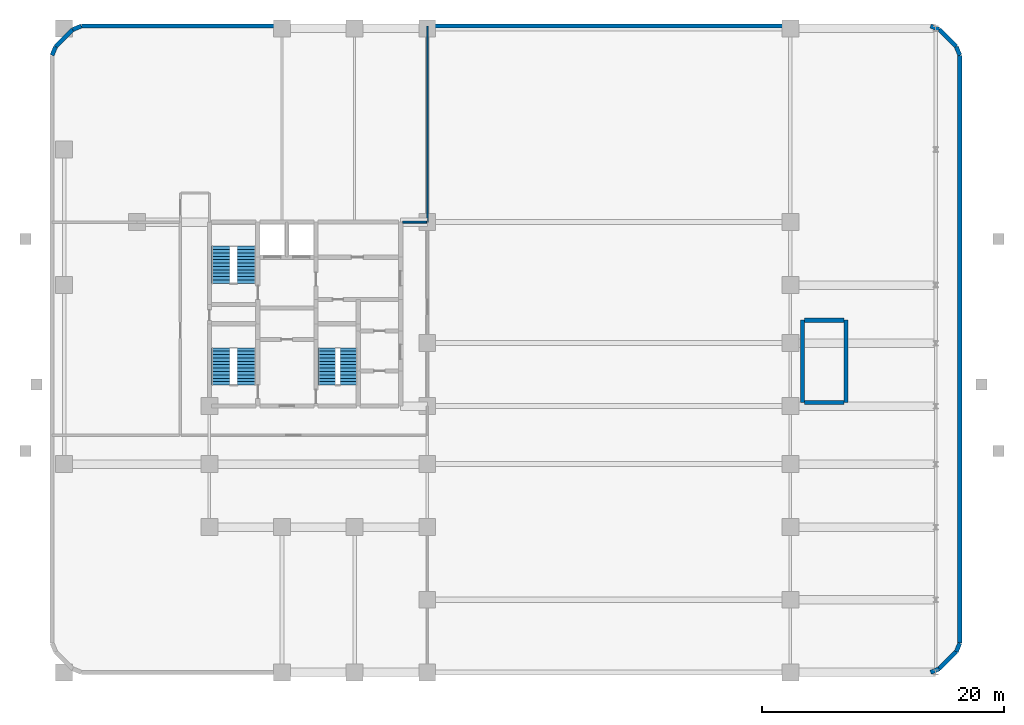
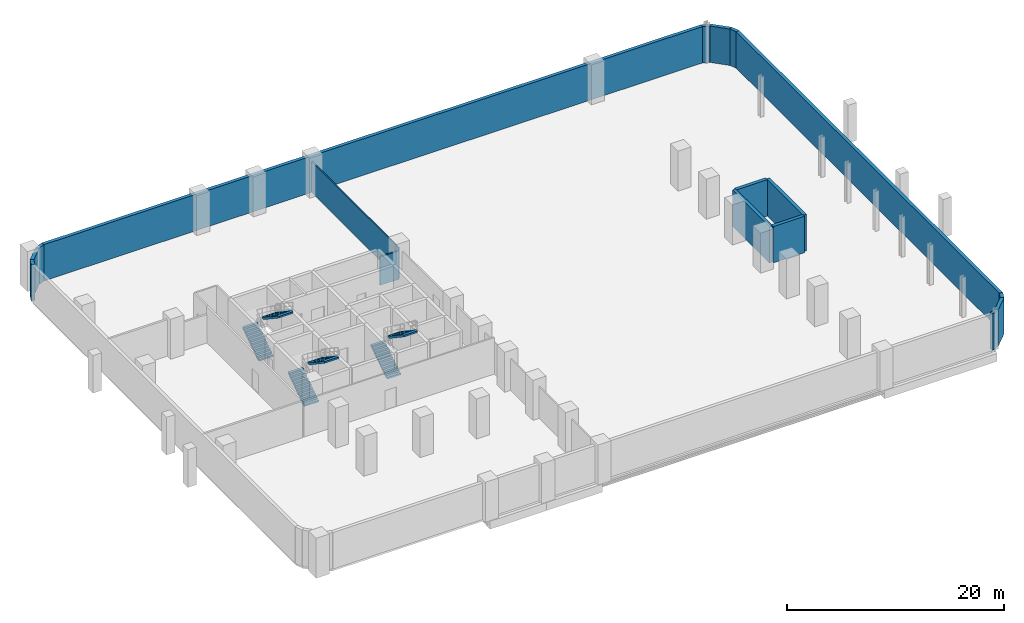
# One storey, part 6 of 7: 17 walls, 6 stair flights, 3 elements without a shape of their own.
"""IFC4 building model written with IfcOpenShell, lengths in metres."""

from ifc_helpers import new_model, si_unit, direction, frame, frame_2d, origin, place, context, subcontext, project, spatial, polyline, rectangle, outline, extrude, material, layer, layer_set, type_object, element, aggregate, save


model = new_model("IFC4")

# Units and contexts
model_context = context("Model", 3, precision=1e-05, world=origin(), true_north=direction((0.0, 1.0)))
body_context = subcontext(model_context, "Body", "Model", "MODEL_VIEW")
ifc_project = project(units=[si_unit("LENGTHUNIT", "METRE"), si_unit("AREAUNIT", "SQUARE_METRE"), si_unit("VOLUMEUNIT", "CUBIC_METRE"), si_unit("PLANEANGLEUNIT", "RADIAN"), si_unit("MASSUNIT", "GRAM", prefix="KILO")], contexts=[model_context])

# Site, building, storey
site_placement = place(None, origin())
site = spatial("IfcSite", under=ifc_project, at=site_placement, CompositionType="ELEMENT")
building_placement = place(site_placement, origin())
building = spatial("IfcBuilding", under=site, at=building_placement, Name="Keshet Zoharim Tower", CompositionType="ELEMENT")
storey_placement = place(building_placement, frame((0.0, 0.0, -4.5)))
storey = spatial("IfcBuildingStorey", under=building, at=storey_placement, Name="B1", CompositionType="ELEMENT", Elevation=-4.5)

# Walls
ifc_material_1 = material(Name="Gypsum Plasterboard", Category="gypsum")
ifc_layer_1 = layer(ifc_material_1, 0.14990234375)
ifc_layer_set_1 = layer_set([ifc_layer_1], Name="Gypsum Plasterboard")
wall_type_1 = type_object("IfcWallType", Name="WL-CLIN-150", PredefinedType="STANDARD", material=ifc_layer_set_1)
wall_1_placement = place(storey_placement, frame((30.9599609375, 37.89990234375, 0.0), z_axis=(0.0, 0.0, 1.0), x_axis=(1.0, 0.0, 0.0)))
element("IfcWall", 1, at=wall_1_placement, inside=storey, type_object=wall_type_1, Name="B1 Interior Wall 054", PredefinedType="STANDARD", context=body_context, shape_type="SweptSolid", body=[
    extrude(rectangle(XDim=1.97998046875, YDim=0.14990234375, at=frame_2d((0.989990234375, 0.0))), origin(), (0.0, 0.0, 1.0), 3.199951171875),
])
ifc_material_2 = material(Name="Concrete C60/75", Category="concrete")
ifc_layer_2 = layer(ifc_material_2, 0.35009765625)
ifc_layer_set_2 = layer_set([ifc_layer_2], Name="Concrete C60/75")
wall_type_2 = type_object("IfcWallType", Name="WL-CORE-350", PredefinedType="SHEAR", material=ifc_layer_set_2)
for number, where, z_axis, x_axis, name in (
    (2, (64.0, 23.0, 0.0), (0.0, 0.0, 1.0), (0.0, 1.0, 0.0), "B1 Core Shear Wall 030"),
    (3, (67.60009765625, 23.0, 0.0), (0.0, 0.0, 1.0), (0.0, 1.0, 0.0), "B1 Core Shear Wall 031"),
):
    element("IfcWall", number, at=place(storey_placement, frame(where, z_axis=z_axis, x_axis=x_axis)), inside=storey, type_object=wall_type_2, Name=name, PredefinedType="SHEAR", context=body_context, shape_type="SweptSolid", body=[
        extrude(rectangle(XDim=6.800048828125, YDim=0.35009765625, at=frame_2d((3.39990234375, 0.0))), origin(), (0.0, 0.0, 1.0), 4.10009765625),
    ])
for number, where, z_axis, x_axis, name in (
    (4, (64.159912109375, 23.0, 0.0), (0.0, 0.0, 1.0), (1.0, 0.0, 0.0), "B1 Core Shear Wall 038"),
    (5, (64.159912109375, 29.800048828125, 0.0), (0.0, 0.0, 1.0), (1.0, 0.0, 0.0), "B1 Core Shear Wall 044"),
):
    element("IfcWall", number, at=place(storey_placement, frame(where, z_axis=z_axis, x_axis=x_axis)), inside=storey, type_object=wall_type_2, Name=name, PredefinedType="SHEAR", context=body_context, shape_type="SweptSolid", body=[
        extrude(rectangle(XDim=3.280029296875, YDim=0.35009765625, at=frame_2d((1.64013671875, 0.0))), origin(), (0.0, 0.0, 1.0), 4.10009765625),
    ])
ifc_layer_3 = layer(ifc_material_1, 0.1201171875)
ifc_layer_set_3 = layer_set([ifc_layer_3], Name="Gypsum Plasterboard")
wall_type_3 = type_object("IfcWallType", Name="WL-PART-120", PredefinedType="PARTITIONING", material=ifc_layer_set_3)
wall_2_placement = place(storey_placement, frame((33.0, 37.89990234375, 0.0), z_axis=(0.0, 0.0, 1.0), x_axis=(0.0, 1.0, 0.0)))
element("IfcWall", 6, at=wall_2_placement, inside=storey, type_object=wall_type_3, Name="B1 Interior Wall 029", PredefinedType="PARTITIONING", context=body_context, shape_type="SweptSolid", body=[
    extrude(rectangle(XDim=16.190185546875, YDim=0.1201171875, at=frame_2d((8.09521484375, 0.0))), origin(), (0.0, 0.0, 1.0), 3.5),
])
ifc_material_3 = material(Name="Concrete C50/60", Category="concrete")
ifc_layer_4 = layer(ifc_material_3, 0.35009765625)
ifc_layer_set_4 = layer_set([ifc_layer_4], Name="Concrete C50/60")
wall_type_4 = type_object("IfcWallType", Name="WL-RET-350", PredefinedType="USERDEFINED", material=ifc_layer_set_4)
wall_3_placement = place(storey_placement, frame((2.0, 51.68603515625, 0.0), z_axis=(0.0, 0.0, 1.0), x_axis=(0.382802560388, 0.92383017907, 0.0)))
element("IfcWall", 7, at=wall_3_placement, inside=storey, type_object=wall_type_4, Name="B1 Perimeter Retaining Wall 03", ObjectType="RETAINING", PredefinedType="USERDEFINED", context=body_context, shape_type="SweptSolid", body=[
    extrude(rectangle(XDim=0.765380859375, YDim=0.35009765625, at=frame_2d((0.3828125, 0.0))), origin(), (0.0, 0.0, 1.0), 4.10009765625),
])
wall_4_placement = place(storey_placement, frame((2.29296875, 52.39306640625, 0.0), z_axis=(0.0, 0.0, 1.0), x_axis=(0.707167825498, 0.707045731605, 0.0)))
element("IfcWall", 8, at=wall_4_placement, inside=storey, type_object=wall_type_4, Name="B1 Perimeter Retaining Wall 04", ObjectType="RETAINING", PredefinedType="USERDEFINED", context=body_context, shape_type="SweptSolid", body=[
    extrude(rectangle(XDim=1.99951171875, YDim=0.35009765625, at=frame_2d((0.999755859375, 0.0))), origin(), (0.0, 0.0, 1.0), 4.10009765625),
])
wall_5_placement = place(storey_placement, frame((3.70703125, 53.806884765625, 0.0), z_axis=(0.0, 0.0, 1.0), x_axis=(0.923717339373, 0.383074766777, 0.0)))
element("IfcWall", 9, at=wall_5_placement, inside=storey, type_object=wall_type_4, Name="B1 Perimeter Retaining Wall 05", ObjectType="RETAINING", PredefinedType="USERDEFINED", context=body_context, shape_type="SweptSolid", body=[
    extrude(rectangle(XDim=0.765380859375, YDim=0.35009765625, at=frame_2d((0.3828125, 0.0))), origin(), (0.0, 0.0, 1.0), 4.10009765625),
])
wall_6_placement = place(storey_placement, frame((4.4140625, 54.10009765625, 0.0), z_axis=(0.0, 0.0, 1.0), x_axis=(1.0, 0.0, 0.0)))
element("IfcWall", 10, at=wall_6_placement, inside=storey, type_object=wall_type_4, Name="B1 Perimeter Retaining Wall 06", ObjectType="RETAINING", PredefinedType="USERDEFINED", context=body_context, shape_type="SweptSolid", body=[
    extrude(rectangle(XDim=70.171875, YDim=0.35009765625, at=frame_2d((35.0859375, 0.0))), origin(), (0.0, 0.0, 1.0), 4.10009765625),
])
wall_7_placement = place(storey_placement, frame((74.5859375, 54.10009765625, 0.0), z_axis=(0.0, 0.0, 1.0), x_axis=(0.923717339373, -0.383074766777, 0.0)))
element("IfcWall", 11, at=wall_7_placement, inside=storey, type_object=wall_type_4, Name="B1 Perimeter Retaining Wall 07", ObjectType="RETAINING", PredefinedType="USERDEFINED", context=body_context, shape_type="SweptSolid", body=[
    extrude(rectangle(XDim=0.765380859375, YDim=0.35009765625, at=frame_2d((0.3828125, 0.0))), origin(), (0.0, 0.0, 1.0), 4.10009765625),
])
wall_8_placement = place(storey_placement, frame((75.29296875, 53.806884765625, 0.0), z_axis=(0.0, 0.0, 1.0), x_axis=(0.707167825498, -0.707045731605, 0.0)))
element("IfcWall", 12, at=wall_8_placement, inside=storey, type_object=wall_type_4, Name="B1 Perimeter Retaining Wall 08", ObjectType="RETAINING", PredefinedType="USERDEFINED", context=body_context, shape_type="SweptSolid", body=[
    extrude(rectangle(XDim=1.99951171875, YDim=0.35009765625, at=frame_2d((0.999755859375, 0.0))), origin(), (0.0, 0.0, 1.0), 4.10009765625),
])
wall_9_placement = place(storey_placement, frame((76.70703125, 52.39306640625, 0.0), z_axis=(0.0, 0.0, 1.0), x_axis=(0.382802560388, -0.92383017907, 0.0)))
element("IfcWall", 13, at=wall_9_placement, inside=storey, type_object=wall_type_4, Name="B1 Perimeter Retaining Wall 09", ObjectType="RETAINING", PredefinedType="USERDEFINED", context=body_context, shape_type="SweptSolid", body=[
    extrude(rectangle(XDim=0.765380859375, YDim=0.35009765625, at=frame_2d((0.3828125, 0.0))), origin(), (0.0, 0.0, 1.0), 4.10009765625),
])
wall_10_placement = place(storey_placement, frame((77.0, 51.68603515625, 0.0), z_axis=(0.0, 0.0, 1.0), x_axis=(0.0, -1.0, 0.0)))
element("IfcWall", 14, at=wall_10_placement, inside=storey, type_object=wall_type_4, Name="B1 Perimeter Retaining Wall 10", ObjectType="RETAINING", PredefinedType="USERDEFINED", context=body_context, shape_type="SweptSolid", body=[
    extrude(rectangle(XDim=48.572021484375, YDim=0.35009765625, at=frame_2d((24.2861328125, 0.0))), origin(), (0.0, 0.0, 1.0), 4.10009765625),
])
wall_11_placement = place(storey_placement, frame((77.0, 3.114013671875, 0.0), z_axis=(0.0, 0.0, 1.0), x_axis=(-0.382802560388, -0.92383017907, 0.0)))
element("IfcWall", 15, at=wall_11_placement, inside=storey, type_object=wall_type_4, Name="B1 Perimeter Retaining Wall 11", ObjectType="RETAINING", PredefinedType="USERDEFINED", context=body_context, shape_type="SweptSolid", body=[
    extrude(rectangle(XDim=0.765380859375, YDim=0.35009765625, at=frame_2d((0.3828125, 0.0))), origin(), (0.0, 0.0, 1.0), 4.10009765625),
])
wall_12_placement = place(storey_placement, frame((76.70703125, 2.406982421875, 0.0), z_axis=(0.0, 0.0, 1.0), x_axis=(-0.707106781187, -0.707106781187, 0.0)))
element("IfcWall", 16, at=wall_12_placement, inside=storey, type_object=wall_type_4, Name="B1 Perimeter Retaining Wall 12", ObjectType="RETAINING", PredefinedType="USERDEFINED", context=body_context, shape_type="SweptSolid", body=[
    extrude(rectangle(XDim=1.999755859375, YDim=0.35009765625, at=frame_2d((1.0, 0.0))), origin(), (0.0, 0.0, 1.0), 4.10009765625),
])
wall_13_placement = place(storey_placement, frame((75.29296875, 0.992919921875, 0.0), z_axis=(0.0, 0.0, 1.0), x_axis=(-0.92383017907, -0.382802560388, 0.0)))
element("IfcWall", 17, at=wall_13_placement, inside=storey, type_object=wall_type_4, Name="B1 Perimeter Retaining Wall 13", ObjectType="RETAINING", PredefinedType="USERDEFINED", context=body_context, shape_type="SweptSolid", body=[
    extrude(rectangle(XDim=0.765380859375, YDim=0.35009765625, at=frame_2d((0.3828125, 0.0))), origin(), (0.0, 0.0, 1.0), 4.10009765625),
])

# Stair, stair flights
stair_type = type_object("IfcStairType", Name="STR-EXIT-135", PredefinedType="HALF_TURN_STAIR", material=ifc_material_3)
stair_1_placement = place(storey_placement, origin())
stair_1 = element("IfcStair", 18, at=stair_1_placement, inside=storey, type_object=stair_type, Name="B1 Enclosed Exit Stair ST-01", PredefinedType="HALF_TURN_STAIR")
stair_flight_type_1 = type_object("IfcStairFlightType", Name="FLT-PRE-135", PredefinedType="STRAIGHT", material=ifc_material_3)
stair_flight_1_placement = place(storey_placement, frame((15.945068359375, 24.43994140625, 0.0), z_axis=(0.0, 0.0, 1.0), x_axis=(0.0, 1.0, 0.0)))
stair_flight_1 = element("IfcStairFlight", 19, at=stair_flight_1_placement, type_object=stair_flight_type_1, Name="ST-01 flight 1", NumberOfRisers=12, NumberOfTreads=11, PredefinedType="STRAIGHT", RiserHeight=0.1875, TreadLength=0.28, context=body_context, shape_type="SweptSolid", body=[
    extrude(outline(polyline([(0.0, 0.0), (0.0, 0.1875), (0.280029296875, 0.1875), (0.280029296875, 0.375), (0.56005859375, 0.375), (0.56005859375, 0.5625), (0.840087890625, 0.5625), (0.840087890625, 0.75), (1.1201171875, 0.75), (1.1201171875, 0.9375), (1.39990234375, 0.9375), (1.39990234375, 1.125), (1.679931640625, 1.125), (1.679931640625, 1.3125), (1.9599609375, 1.3125), (1.9599609375, 1.5), (2.239990234375, 1.5), (2.239990234375, 1.6875), (2.52001953125, 1.6875), (2.52001953125, 1.875), (2.800048828125, 1.875), (2.800048828125, 2.0625), (3.080078125, 2.0625), (3.080078125, 2.25), (3.080078125, 1.8701171875), (0.287353515625, 0.0), (0.0, 0.0)])), frame((0.0, 0.76513671875, 0.0), z_axis=(0.0, -1.0, 0.0), x_axis=(1.0, 0.0, 0.0)), (0.0, 0.0, 1.0), 1.530029296875),
])
stair_flight_2_placement = place(storey_placement, frame((18.054931640625, 27.52001953125, 2.25), z_axis=(0.0, 0.0, 1.0), x_axis=(0.0, -1.0, 0.0)))
stair_flight_2 = element("IfcStairFlight", 20, at=stair_flight_2_placement, type_object=stair_flight_type_1, Name="ST-01 flight 2", NumberOfRisers=12, NumberOfTreads=11, PredefinedType="STRAIGHT", RiserHeight=0.1875, TreadLength=0.28, context=body_context, shape_type="SweptSolid", body=[
    extrude(outline(polyline([(0.0, 0.0), (0.0, 0.1875), (0.280029296875, 0.1875), (0.280029296875, 0.375), (0.56005859375, 0.375), (0.56005859375, 0.5625), (0.840087890625, 0.5625), (0.840087890625, 0.75), (1.1201171875, 0.75), (1.1201171875, 0.9375), (1.39990234375, 0.9375), (1.39990234375, 1.125), (1.679931640625, 1.125), (1.679931640625, 1.3125), (1.9599609375, 1.3125), (1.9599609375, 1.5), (2.239990234375, 1.5), (2.239990234375, 1.6875), (2.52001953125, 1.6875), (2.52001953125, 1.875), (2.800048828125, 1.875), (2.800048828125, 2.0625), (3.080078125, 2.0625), (3.080078125, 2.25), (3.080078125, 1.8701171875), (0.287353515625, 0.0), (0.0, 0.0)])), frame((0.0, 0.76513671875, 0.0), z_axis=(0.0, -1.0, 0.0), x_axis=(1.0, 0.0, 0.0)), (0.0, 0.0, 1.0), 1.530029296875),
])
aggregate(stair_1, [stair_flight_1, stair_flight_2])

stair_2_placement = place(storey_placement, origin())
stair_2 = element("IfcStair", 21, at=stair_2_placement, inside=storey, type_object=stair_type, Name="B1 Enclosed Exit Stair ST-02", PredefinedType="HALF_TURN_STAIR")
stair_flight_3_placement = place(storey_placement, frame((15.945068359375, 32.840087890625, 0.0), z_axis=(0.0, 0.0, 1.0), x_axis=(0.0, 1.0, 0.0)))
stair_flight_3 = element("IfcStairFlight", 22, at=stair_flight_3_placement, type_object=stair_flight_type_1, Name="ST-02 flight 1", NumberOfRisers=12, NumberOfTreads=11, PredefinedType="STRAIGHT", RiserHeight=0.1875, TreadLength=0.28, context=body_context, shape_type="SweptSolid", body=[
    extrude(outline(polyline([(0.0, 0.0), (0.0, 0.1875), (0.280029296875, 0.1875), (0.280029296875, 0.375), (0.56005859375, 0.375), (0.56005859375, 0.5625), (0.840087890625, 0.5625), (0.840087890625, 0.75), (1.1201171875, 0.75), (1.1201171875, 0.9375), (1.39990234375, 0.9375), (1.39990234375, 1.125), (1.679931640625, 1.125), (1.679931640625, 1.3125), (1.9599609375, 1.3125), (1.9599609375, 1.5), (2.239990234375, 1.5), (2.239990234375, 1.6875), (2.52001953125, 1.6875), (2.52001953125, 1.875), (2.800048828125, 1.875), (2.800048828125, 2.0625), (3.080078125, 2.0625), (3.080078125, 2.25), (3.080078125, 1.8701171875), (0.287353515625, 0.0), (0.0, 0.0)])), frame((0.0, 0.76513671875, 0.0), z_axis=(0.0, -1.0, 0.0), x_axis=(1.0, 0.0, 0.0)), (0.0, 0.0, 1.0), 1.530029296875),
])
stair_flight_4_placement = place(storey_placement, frame((18.054931640625, 35.919921875, 2.25), z_axis=(0.0, 0.0, 1.0), x_axis=(0.0, -1.0, 0.0)))
stair_flight_4 = element("IfcStairFlight", 23, at=stair_flight_4_placement, type_object=stair_flight_type_1, Name="ST-02 flight 2", NumberOfRisers=12, NumberOfTreads=11, PredefinedType="STRAIGHT", RiserHeight=0.1875, TreadLength=0.28, context=body_context, shape_type="SweptSolid", body=[
    extrude(outline(polyline([(0.0, 0.0), (0.0, 0.1875), (0.280029296875, 0.1875), (0.280029296875, 0.375), (0.56005859375, 0.375), (0.56005859375, 0.5625), (0.840087890625, 0.5625), (0.840087890625, 0.75), (1.1201171875, 0.75), (1.1201171875, 0.9375), (1.39990234375, 0.9375), (1.39990234375, 1.125), (1.679931640625, 1.125), (1.679931640625, 1.3125), (1.9599609375, 1.3125), (1.9599609375, 1.5), (2.239990234375, 1.5), (2.239990234375, 1.6875), (2.52001953125, 1.6875), (2.52001953125, 1.875), (2.800048828125, 1.875), (2.800048828125, 2.0625), (3.080078125, 2.0625), (3.080078125, 2.25), (3.080078125, 1.8701171875), (0.287353515625, 0.0), (0.0, 0.0)])), frame((0.0, 0.76513671875, 0.0), z_axis=(0.0, -1.0, 0.0), x_axis=(1.0, 0.0, 0.0)), (0.0, 0.0, 1.0), 1.530029296875),
])
aggregate(stair_2, [stair_flight_3, stair_flight_4])

stair_3_placement = place(storey_placement, origin())
stair_3 = element("IfcStair", 24, at=stair_3_placement, inside=storey, type_object=stair_type, Name="B1 Enclosed Exit Stair ST-03", PredefinedType="HALF_TURN_STAIR")
stair_flight_type_2 = type_object("IfcStairFlightType", Name="FLT-PRE-144", PredefinedType="STRAIGHT", material=ifc_material_3)
stair_flight_5_placement = place(storey_placement, frame((24.699951171875, 24.43994140625, 0.0), z_axis=(0.0, 0.0, 1.0), x_axis=(0.0, 1.0, 0.0)))
stair_flight_5 = element("IfcStairFlight", 25, at=stair_flight_5_placement, type_object=stair_flight_type_2, Name="ST-03 flight 1", NumberOfRisers=12, NumberOfTreads=11, PredefinedType="STRAIGHT", RiserHeight=0.1875, TreadLength=0.28, context=body_context, shape_type="SweptSolid", body=[
    extrude(outline(polyline([(0.0, 0.0), (0.0, 0.1875), (0.280029296875, 0.1875), (0.280029296875, 0.375), (0.56005859375, 0.375), (0.56005859375, 0.5625), (0.840087890625, 0.5625), (0.840087890625, 0.75), (1.1201171875, 0.75), (1.1201171875, 0.9375), (1.39990234375, 0.9375), (1.39990234375, 1.125), (1.679931640625, 1.125), (1.679931640625, 1.3125), (1.9599609375, 1.3125), (1.9599609375, 1.5), (2.239990234375, 1.5), (2.239990234375, 1.6875), (2.52001953125, 1.6875), (2.52001953125, 1.875), (2.800048828125, 1.875), (2.800048828125, 2.0625), (3.080078125, 2.0625), (3.080078125, 2.25), (3.080078125, 1.8701171875), (0.287353515625, 0.0), (0.0, 0.0)])), frame((0.0, 0.719970703125, 0.0), z_axis=(0.0, -1.0, 0.0), x_axis=(1.0, 0.0, 0.0)), (0.0, 0.0, 1.0), 1.43994140625),
])
stair_flight_6_placement = place(storey_placement, frame((26.5, 27.52001953125, 2.25), z_axis=(0.0, 0.0, 1.0), x_axis=(0.0, -1.0, 0.0)))
stair_flight_6 = element("IfcStairFlight", 26, at=stair_flight_6_placement, type_object=stair_flight_type_2, Name="ST-03 flight 2", NumberOfRisers=12, NumberOfTreads=11, PredefinedType="STRAIGHT", RiserHeight=0.1875, TreadLength=0.28, context=body_context, shape_type="SweptSolid", body=[
    extrude(outline(polyline([(0.0, 0.0), (0.0, 0.1875), (0.280029296875, 0.1875), (0.280029296875, 0.375), (0.56005859375, 0.375), (0.56005859375, 0.5625), (0.840087890625, 0.5625), (0.840087890625, 0.75), (1.1201171875, 0.75), (1.1201171875, 0.9375), (1.39990234375, 0.9375), (1.39990234375, 1.125), (1.679931640625, 1.125), (1.679931640625, 1.3125), (1.9599609375, 1.3125), (1.9599609375, 1.5), (2.239990234375, 1.5), (2.239990234375, 1.6875), (2.52001953125, 1.6875), (2.52001953125, 1.875), (2.800048828125, 1.875), (2.800048828125, 2.0625), (3.080078125, 2.0625), (3.080078125, 2.25), (3.080078125, 1.8701171875), (0.287353515625, 0.0), (0.0, 0.0)])), frame((0.0, 0.719970703125, 0.0), z_axis=(0.0, -1.0, 0.0), x_axis=(1.0, 0.0, 0.0)), (0.0, 0.0, 1.0), 1.43994140625),
])
aggregate(stair_3, [stair_flight_5, stair_flight_6])

save(model, "model.ifc")
